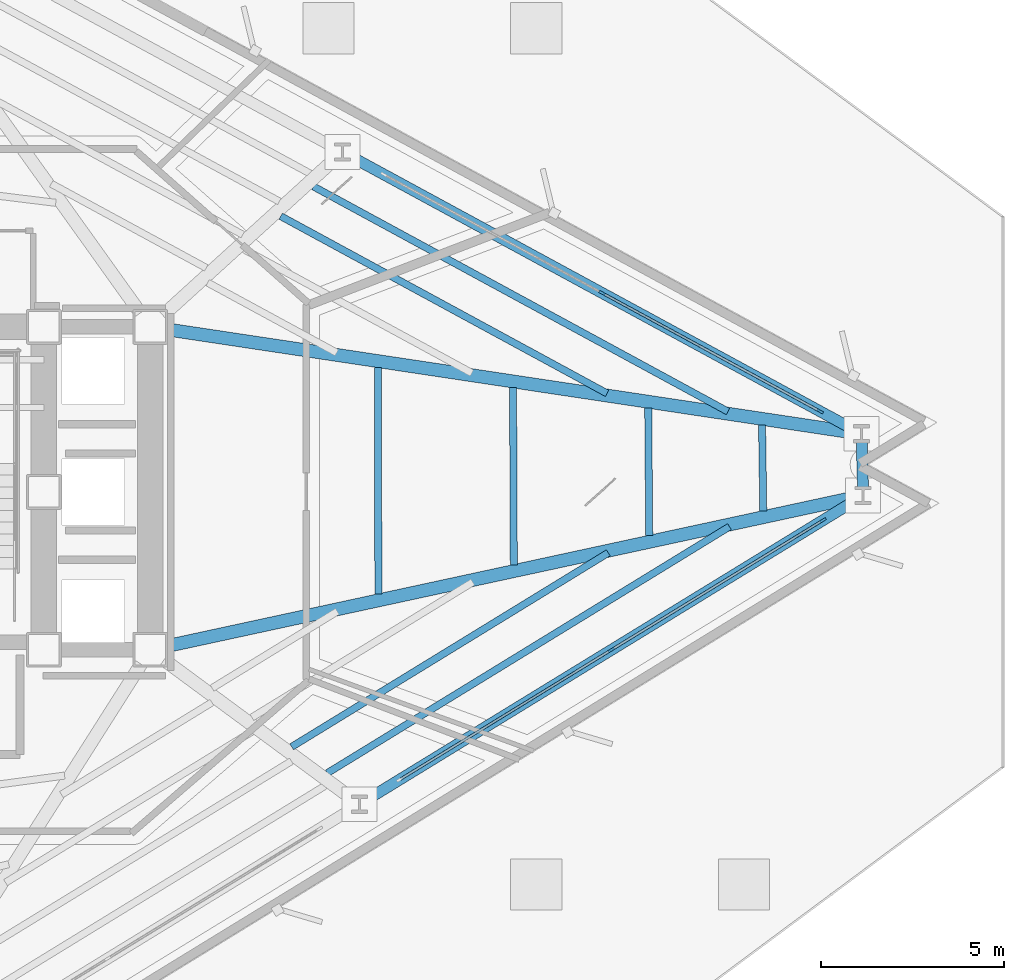
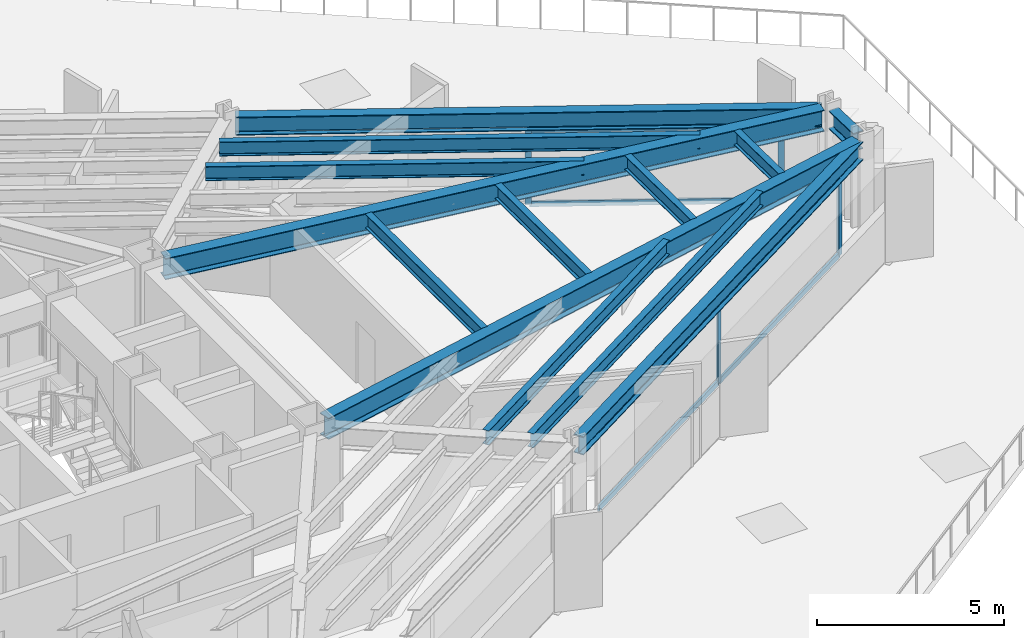
# One storey, part 4 of 13: 13 beams, 10 members, 2 elements without a shape of their own.
"""IFC4 building model written with IfcOpenShell, lengths in metres."""

from ifc_helpers import new_model, si_unit, direction, frame, origin, origin_2d, place, context, subcontext, project, spatial, rectangle, i_section, extrude, material, layer, layer_set, material_profile, profile_set, type_object, element, aggregate, save


model = new_model("IFC4")

# Units and contexts
model_context = context("Model", 3, precision=1e-05, world=origin(), true_north=direction((0.0, 1.0)))
body_context = subcontext(model_context, "Body", "Model", "MODEL_VIEW")
ifc_project = project(units=[si_unit("LENGTHUNIT", "METRE"), si_unit("AREAUNIT", "SQUARE_METRE"), si_unit("VOLUMEUNIT", "CUBIC_METRE"), si_unit("PLANEANGLEUNIT", "RADIAN"), si_unit("MASSUNIT", "GRAM", prefix="KILO")], contexts=[model_context])

# Site, building, storey
site_placement = place(None, origin())
site = spatial("IfcSite", under=ifc_project, at=site_placement, CompositionType="ELEMENT")
building_placement = place(site_placement, origin())
building = spatial("IfcBuilding", under=site, at=building_placement, Name="Rocaltana Carrier Exchange", CompositionType="ELEMENT")
storey_placement = place(building_placement, frame((0.0, 0.0, 18.8798828125)))
storey = spatial("IfcBuildingStorey", under=building, at=storey_placement, Name="L06", CompositionType="ELEMENT", Elevation=18.8798828125)

# Curtain wall, members
ifc_material_1 = material(Name="Aluminium 6063-T6", Category="aluminium")
ifc_layer = layer(ifc_material_1, 0.179931640625)
ifc_layer_set = layer_set([ifc_layer], Name="Aluminium 6063-T6")
curtain_wall_type = type_object("IfcCurtainWallType", Name="Sandstone Spandrel Unitised Curtain Wall CW-01", PredefinedType="NOTDEFINED", material=ifc_layer_set)
curtain_wall_1_placement = place(storey_placement, origin())
curtain_wall_1 = element("IfcCurtainWall", 1, at=curtain_wall_1_placement, inside=storey, type_object=curtain_wall_type, Name="L06 CW-01 Run CW-L06-F1S1", PredefinedType="NOTDEFINED")
ifc_material_2 = material(Name="Aluminium 6063-T6", Category="aluminium")
ifc_material_profile_1 = material_profile(ifc_material_2, rectangle(XDim=0.06494140625, YDim=0.179931640625, at=origin_2d()), Name="AL-65X180")
ifc_profile_set_1 = profile_set([ifc_material_profile_1], Name="Aluminium 6063-T6")
member_type_1 = type_object("IfcMemberType", Name="CW-01 Mullion AL-65X180", PredefinedType="MULLION", material=ifc_profile_set_1)
member_1_placement = place(storey_placement, frame((27.213623046875, 2.19677734375, 0.0), z_axis=(0.0, 0.0, 1.0), x_axis=(-0.477161473226, -0.878815639636, 0.0)))
member_1 = element("IfcMember", 2, at=member_1_placement, type_object=member_type_1, Name="CW-01 mullion 1", PredefinedType="MULLION", context=body_context, shape_type="SweptSolid", body=[
    extrude(rectangle(XDim=0.06494140625, YDim=0.179931640625, at=origin_2d()), origin(), (0.0, 0.0, 1.0), 2.47802734375),
])
member_2_placement = place(storey_placement, frame((21.26611328125, 5.426025390625, 0.0), z_axis=(0.0, 0.0, 1.0), x_axis=(-0.477161473226, -0.878815639636, 0.0)))
member_2 = element("IfcMember", 3, at=member_2_placement, type_object=member_type_1, Name="CW-01 mullion 2", PredefinedType="MULLION", context=body_context, shape_type="SweptSolid", body=[
    extrude(rectangle(XDim=0.06494140625, YDim=0.179931640625, at=origin_2d()), origin(), (0.0, 0.0, 1.0), 2.47802734375),
])

curtain_wall_2_placement = place(storey_placement, origin())
curtain_wall_2 = element("IfcCurtainWall", 4, at=curtain_wall_2_placement, inside=storey, type_object=curtain_wall_type, Name="L06 CW-01 Run CW-L06-F3S3", PredefinedType="NOTDEFINED")
member_3_placement = place(storey_placement, frame((21.52099609375, -4.3056640625, 0.0), z_axis=(0.0, 0.0, 1.0), x_axis=(-0.522499812415, 0.852639399762, 0.0)))
member_3 = element("IfcMember", 5, at=member_3_placement, type_object=member_type_1, Name="CW-01 mullion 2", PredefinedType="MULLION", context=body_context, shape_type="SweptSolid", body=[
    extrude(rectangle(XDim=0.06494140625, YDim=0.179931640625, at=origin_2d()), origin(), (0.0, 0.0, 1.0), 2.47802734375),
])
member_4_placement = place(storey_placement, frame((27.291259765625, -0.76953125, 0.0), z_axis=(0.0, 0.0, 1.0), x_axis=(-0.522499812415, 0.852639399762, 0.0)))
member_4 = element("IfcMember", 6, at=member_4_placement, type_object=member_type_1, Name="CW-01 mullion 3", PredefinedType="MULLION", context=body_context, shape_type="SweptSolid", body=[
    extrude(rectangle(XDim=0.06494140625, YDim=0.179931640625, at=origin_2d()), origin(), (0.0, 0.0, 1.0), 2.47802734375),
])

# Member
ifc_material_3 = material(Name="Aluminium 6063-T6", Category="aluminium")
ifc_material_profile_2 = material_profile(ifc_material_3, rectangle(XDim=0.06494140625, YDim=0.179931640625, at=origin_2d()), Name="AL-65X180")
ifc_profile_set_2 = profile_set([ifc_material_profile_2], Name="Aluminium 6063-T6")
member_type_2 = type_object("IfcMemberType", Name="CW-01 Transom AL-65X180", PredefinedType="USERDEFINED", material=ifc_profile_set_2)
member_5_placement = place(storey_placement, frame((27.18505859375, 2.21240234375, 0.03271484375), z_axis=(-0.878830739565, 0.477133661772, 0.0), x_axis=(-0.477133661772, -0.878830739565, 0.0)))
member_5 = element("IfcMember", 7, at=member_5_placement, type_object=member_type_2, Name="CW-01 transom 1.1", ObjectType="TRANSOM", PredefinedType="USERDEFINED", context=body_context, shape_type="SweptSolid", body=[
    extrude(rectangle(XDim=0.06494140625, YDim=0.179931640625, at=origin_2d()), origin(), (0.0, 0.0, 1.0), 6.70263671875),
])

member_6_placement = place(storey_placement, frame((27.18505859375, 2.21240234375, 2.445556640625), z_axis=(-0.878830739565, 0.477133661772, 0.0), x_axis=(-0.477133661772, -0.878830739565, 0.0)))
member_6 = element("IfcMember", 8, at=member_6_placement, type_object=member_type_2, Name="CW-01 transom 1.2", ObjectType="TRANSOM", PredefinedType="USERDEFINED", context=body_context, shape_type="SweptSolid", body=[
    extrude(rectangle(XDim=0.06494140625, YDim=0.179931640625, at=origin_2d()), origin(), (0.0, 0.0, 1.0), 6.70263671875),
])

aggregate(curtain_wall_1, [member_1, member_2, member_5, member_6])

member_7_placement = place(storey_placement, frame((15.7783203125, -7.82470703125, 0.03271484375), z_axis=(0.85263109068, 0.522513371318, 0.0), x_axis=(-0.522513371318, 0.85263109068, 0.0)))
member_7 = element("IfcMember", 9, at=member_7_placement, type_object=member_type_2, Name="CW-01 transom 1.1", ObjectType="TRANSOM", PredefinedType="USERDEFINED", context=body_context, shape_type="SweptSolid", body=[
    extrude(rectangle(XDim=0.06494140625, YDim=0.179931640625, at=origin_2d()), origin(), (0.0, 0.0, 1.0), 6.70263671875),
])

member_8_placement = place(storey_placement, frame((15.7783203125, -7.82470703125, 2.445556640625), z_axis=(0.85263109068, 0.522513371318, 0.0), x_axis=(-0.522513371318, 0.85263109068, 0.0)))
member_8 = element("IfcMember", 10, at=member_8_placement, type_object=member_type_2, Name="CW-01 transom 1.2", ObjectType="TRANSOM", PredefinedType="USERDEFINED", context=body_context, shape_type="SweptSolid", body=[
    extrude(rectangle(XDim=0.06494140625, YDim=0.179931640625, at=origin_2d()), origin(), (0.0, 0.0, 1.0), 6.70263671875),
])

member_9_placement = place(storey_placement, frame((21.548583984375, -4.28857421875, 0.03271484375), z_axis=(0.85264731822, 0.522486890488, 0.0), x_axis=(-0.522486890488, 0.85264731822, 0.0)))
member_9 = element("IfcMember", 11, at=member_9_placement, type_object=member_type_2, Name="CW-01 transom 2.1", ObjectType="TRANSOM", PredefinedType="USERDEFINED", context=body_context, shape_type="SweptSolid", body=[
    extrude(rectangle(XDim=0.06494140625, YDim=0.179931640625, at=origin_2d()), origin(), (0.0, 0.0, 1.0), 6.702392578125),
])

member_10_placement = place(storey_placement, frame((21.548583984375, -4.28857421875, 2.445556640625), z_axis=(0.85264731822, 0.522486890488, 0.0), x_axis=(-0.522486890488, 0.85264731822, 0.0)))
member_10 = element("IfcMember", 12, at=member_10_placement, type_object=member_type_2, Name="CW-01 transom 2.2", ObjectType="TRANSOM", PredefinedType="USERDEFINED", context=body_context, shape_type="SweptSolid", body=[
    extrude(rectangle(XDim=0.06494140625, YDim=0.179931640625, at=origin_2d()), origin(), (0.0, 0.0, 1.0), 6.702392578125),
])

aggregate(curtain_wall_2, [member_3, member_4, member_7, member_8, member_9, member_10])

# Beams
ifc_material_4 = material(Name="Steel S355", Category="steel")
ifc_material_profile_3 = material_profile(ifc_material_4, i_section(OverallWidth=0.193115234375, OverallDepth=0.466064453125, WebThickness=0.011474609375, FlangeThickness=0.01904296875, FilletRadius=0.013916015625, at=origin_2d()), Name="W18X65")
ifc_profile_set_3 = profile_set([ifc_material_profile_3], Name="Steel S355")
beam_type_1 = type_object("IfcBeamType", Name="Floor Joist W18X65", PredefinedType="JOIST", material=ifc_profile_set_3)
beam_1_placement = place(storey_placement, frame((21.4033203125, 2.68701171875, 2.865234375), z_axis=(-0.878818466662, 0.477156266494, 0.0), x_axis=(-0.477156266494, -0.878818466662, 0.0)))
element("IfcBeam", 13, at=beam_1_placement, inside=storey, type_object=beam_type_1, Name="FJ-L06-01-3", PredefinedType="JOIST", context=body_context, shape_type="SweptSolid", body=[
    extrude(i_section(OverallWidth=0.193115234375, OverallDepth=0.466064453125, WebThickness=0.011474609375, FlangeThickness=0.01904296875, FilletRadius=0.013916015625, at=origin_2d()), origin(), (0.0, 0.0, 1.0), 10.1220703125),
])
beam_2_placement = place(storey_placement, frame((24.69970703125, 2.19140625, 2.865234375), z_axis=(-0.878819767198, 0.477153871181, 0.0), x_axis=(-0.477153871181, -0.878819767198, 0.0)))
element("IfcBeam", 14, at=beam_2_placement, inside=storey, type_object=beam_type_1, Name="FJ-L06-01-4", PredefinedType="JOIST", context=body_context, shape_type="SweptSolid", body=[
    extrude(i_section(OverallWidth=0.193115234375, OverallDepth=0.466064453125, WebThickness=0.011474609375, FlangeThickness=0.01904296875, FilletRadius=0.013916015625, at=origin_2d()), origin(), (0.0, 0.0, 1.0), 12.859130859375),
])
beam_3_placement = place(storey_placement, frame((12.805908203125, -6.947998046875, 2.865234375), z_axis=(0.852634876053, 0.522507194341, 0.0), x_axis=(-0.522507194341, 0.852634876053, 0.0)))
element("IfcBeam", 15, at=beam_3_placement, inside=storey, type_object=beam_type_1, Name="FJ-L06-11-3", PredefinedType="JOIST", context=body_context, shape_type="SweptSolid", body=[
    extrude(i_section(OverallWidth=0.193115234375, OverallDepth=0.466064453125, WebThickness=0.011474609375, FlangeThickness=0.01904296875, FilletRadius=0.013916015625, at=origin_2d()), origin(), (0.0, 0.0, 1.0), 10.1220703125),
])
beam_4_placement = place(storey_placement, frame((13.776123046875, -7.6640625, 2.865234375), z_axis=(0.852642453123, 0.522494829766, 0.0), x_axis=(-0.522494829766, 0.852642453123, 0.0)))
element("IfcBeam", 16, at=beam_4_placement, inside=storey, type_object=beam_type_1, Name="FJ-L06-11-4", PredefinedType="JOIST", context=body_context, shape_type="SweptSolid", body=[
    extrude(i_section(OverallWidth=0.193115234375, OverallDepth=0.466064453125, WebThickness=0.011474609375, FlangeThickness=0.01904296875, FilletRadius=0.013916015625, at=origin_2d()), origin(), (0.0, 0.0, 1.0), 12.85888671875),
])
beam_5_placement = place(storey_placement, frame((15.168701171875, -2.7841796875, 2.865234375), z_axis=(-0.00213328634, 0.999997724542, 0.0), x_axis=(-0.999997724542, -0.00213328634, 0.0)))
element("IfcBeam", 17, at=beam_5_placement, inside=storey, type_object=beam_type_1, Name="FJ-L06-12-1", PredefinedType="JOIST", context=body_context, shape_type="SweptSolid", body=[
    extrude(i_section(OverallWidth=0.193115234375, OverallDepth=0.466064453125, WebThickness=0.011474609375, FlangeThickness=0.01904296875, FilletRadius=0.013916015625, at=origin_2d()), origin(), (0.0, 0.0, 1.0), 6.179931640625),
])
beam_6_placement = place(storey_placement, frame((18.861083984375, -1.986083984375, 2.865234375), z_axis=(-0.004348884286, 0.999990543558, 0.0), x_axis=(-0.999990543558, -0.004348884286, 0.0)))
element("IfcBeam", 18, at=beam_6_placement, inside=storey, type_object=beam_type_1, Name="FJ-L06-12-2", PredefinedType="JOIST", context=body_context, shape_type="SweptSolid", body=[
    extrude(i_section(OverallWidth=0.193115234375, OverallDepth=0.466064453125, WebThickness=0.011474609375, FlangeThickness=0.01904296875, FilletRadius=0.013916015625, at=origin_2d()), origin(), (0.0, 0.0, 1.0), 4.827880859375),
])
beam_7_placement = place(storey_placement, frame((22.552978515625, -1.188232421875, 2.865234375), z_axis=(-0.008076713655, 0.999967382816, 0.0), x_axis=(-0.999967382816, -0.008076713655, 0.0)))
element("IfcBeam", 19, at=beam_7_placement, inside=storey, type_object=beam_type_1, Name="FJ-L06-12-3", PredefinedType="JOIST", context=body_context, shape_type="SweptSolid", body=[
    extrude(i_section(OverallWidth=0.193115234375, OverallDepth=0.466064453125, WebThickness=0.011474609375, FlangeThickness=0.01904296875, FilletRadius=0.013916015625, at=origin_2d()), origin(), (0.0, 0.0, 1.0), 3.47607421875),
])
beam_8_placement = place(storey_placement, frame((25.661376953125, -0.51611328125, 2.865234375), z_axis=(-0.014097815542, 0.99990062086, 0.0), x_axis=(-0.99990062086, -0.014097815542, 0.0)))
element("IfcBeam", 20, at=beam_8_placement, inside=storey, type_object=beam_type_1, Name="FJ-L06-12-4", PredefinedType="JOIST", context=body_context, shape_type="SweptSolid", body=[
    extrude(i_section(OverallWidth=0.193115234375, OverallDepth=0.466064453125, WebThickness=0.011474609375, FlangeThickness=0.01904296875, FilletRadius=0.013916015625, at=origin_2d()), origin(), (0.0, 0.0, 1.0), 2.337890625),
])
ifc_material_5 = material(Name="Steel S355", Category="steel")
ifc_material_profile_4 = material_profile(ifc_material_5, i_section(OverallWidth=0.35498046875, OverallDepth=0.695068359375, WebThickness=0.015380859375, FlangeThickness=0.02490234375, FilletRadius=0.01806640625, at=origin_2d()), Name="W27X146")
ifc_profile_set_4 = profile_set([ifc_material_profile_4], Name="Steel S355")
beam_type_2 = type_object("IfcBeamType", Name="Radial Girder W27X146", PredefinedType="BEAM", material=ifc_profile_set_4)
beam_9_placement = place(storey_placement, frame((9.411865234375, 4.4306640625, 2.750732421875), z_axis=(0.988886168287, -0.148674631899, 0.0), x_axis=(0.148674631899, 0.988886168287, 0.0)))
element("IfcBeam", 21, at=beam_9_placement, inside=storey, type_object=beam_type_2, Name="RG-L06-01", PredefinedType="BEAM", context=body_context, shape_type="SweptSolid", body=[
    extrude(i_section(OverallWidth=0.35498046875, OverallDepth=0.695068359375, WebThickness=0.015380859375, FlangeThickness=0.02490234375, FilletRadius=0.01806640625, at=origin_2d()), origin(), (0.0, 0.0, 1.0), 18.93359375),
])
beam_10_placement = place(storey_placement, frame((9.406494140625, -4.201416015625, 2.750732421875), z_axis=(0.977428496371, 0.211266501088, 0.0), x_axis=(-0.211266501088, 0.977428496371, 0.0)))
element("IfcBeam", 22, at=beam_10_placement, inside=storey, type_object=beam_type_2, Name="RG-L06-12", PredefinedType="BEAM", context=body_context, shape_type="SweptSolid", body=[
    extrude(i_section(OverallWidth=0.35498046875, OverallDepth=0.695068359375, WebThickness=0.015380859375, FlangeThickness=0.02490234375, FilletRadius=0.01806640625, at=origin_2d()), origin(), (0.0, 0.0, 1.0), 19.20849609375),
])
ifc_material_6 = material(Name="Steel S355", Category="steel")
ifc_material_profile_5 = material_profile(ifc_material_6, i_section(OverallWidth=0.300048828125, OverallDepth=0.60009765625, WebThickness=0.015380859375, FlangeThickness=0.030029296875, FilletRadius=0.027099609375, at=origin_2d()), Name="HEB600")
ifc_profile_set_5 = profile_set([ifc_material_profile_5], Name="Steel S355")
beam_type_3 = type_object("IfcBeamType", Name="Spandrel Edge Beam HEB600", PredefinedType="SPANDREL", material=ifc_profile_set_5)
beam_11_placement = place(storey_placement, frame((28.15771484375, 1.68408203125, 2.798095703125), z_axis=(-0.8788112834, 0.477169496269, 0.0), x_axis=(-0.477169496269, -0.8788112834, 0.0)))
element("IfcBeam", 23, at=beam_11_placement, inside=storey, type_object=beam_type_3, Name="SP-L06-01", PredefinedType="SPANDREL", context=body_context, shape_type="SweptSolid", body=[
    extrude(i_section(OverallWidth=0.300048828125, OverallDepth=0.60009765625, WebThickness=0.015380859375, FlangeThickness=0.030029296875, FilletRadius=0.027099609375, at=origin_2d()), origin(), (0.0, 0.0, 1.0), 15.683837890625),
])
beam_12_placement = place(storey_placement, frame((14.83447265625, -8.403076171875, 2.798095703125), z_axis=(0.852645545454, 0.522489783458, 0.0), x_axis=(-0.522489783458, 0.852645545454, 0.0)))
element("IfcBeam", 24, at=beam_12_placement, inside=storey, type_object=beam_type_3, Name="SP-L06-11", PredefinedType="SPANDREL", context=body_context, shape_type="SweptSolid", body=[
    extrude(i_section(OverallWidth=0.300048828125, OverallDepth=0.60009765625, WebThickness=0.015380859375, FlangeThickness=0.030029296875, FilletRadius=0.027099609375, at=origin_2d()), origin(), (0.0, 0.0, 1.0), 15.68408203125),
])
beam_13_placement = place(storey_placement, frame((28.37939453125, 0.1083984375, 2.798095703125), z_axis=(-0.026357275668, 0.999652586662, 0.0), x_axis=(-0.999652586662, -0.026357275668, 0.0)))
element("IfcBeam", 25, at=beam_13_placement, inside=storey, type_object=beam_type_3, Name="SP-L06-12", PredefinedType="SPANDREL", context=body_context, shape_type="SweptSolid", body=[
    extrude(i_section(OverallWidth=0.300048828125, OverallDepth=0.60009765625, WebThickness=0.015380859375, FlangeThickness=0.030029296875, FilletRadius=0.027099609375, at=origin_2d()), origin(), (0.0, 0.0, 1.0), 1.26904296875),
])

save(model, "model.ifc")
